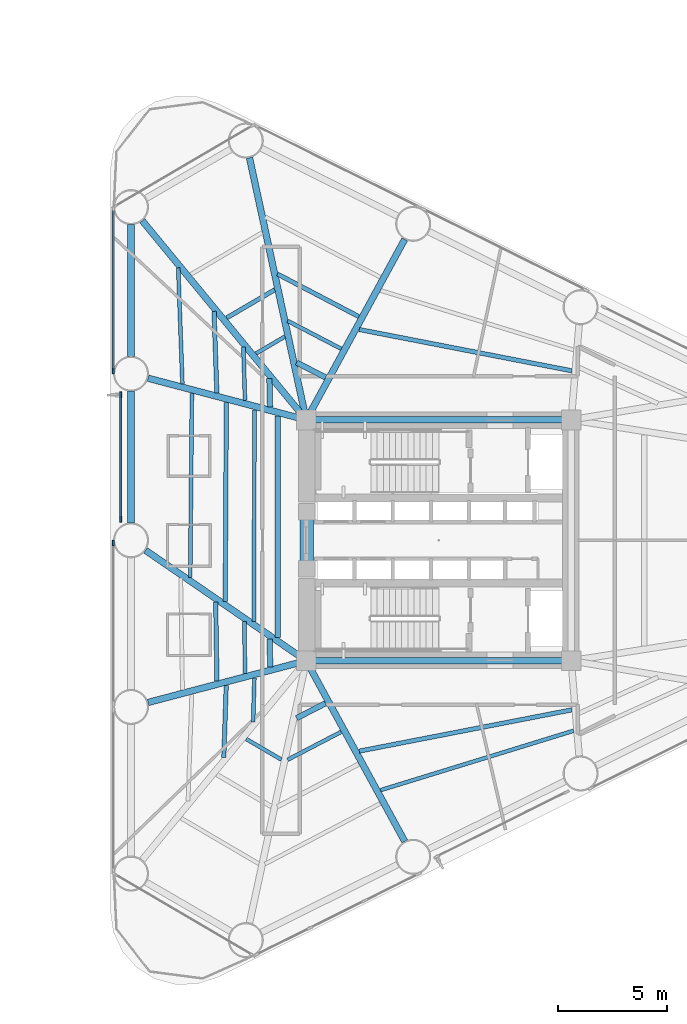
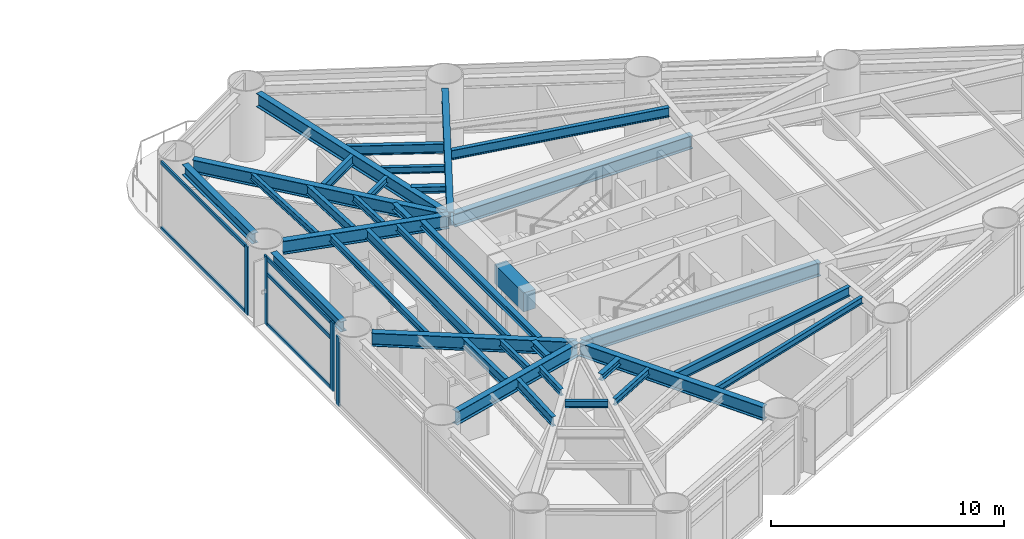
# One storey, part 2 of 10: 36 beams, 9 members, 3 elements without a shape of their own.
"""IFC4 building model written with IfcOpenShell, lengths in metres."""

from ifc_helpers import new_model, si_unit, direction, frame, origin, origin_2d, place, context, subcontext, project, spatial, rectangle, i_section, extrude, source, transform, mapped, material, layer, layer_set, material_profile, profile_set, type_object, element, aggregate, save


model = new_model("IFC4")

# Units and contexts
model_context = context("Model", 3, precision=1e-05, world=origin(), true_north=direction((0.0, 1.0)))
body_context = subcontext(model_context, "Body", "Model", "MODEL_VIEW")
ifc_project = project(units=[si_unit("LENGTHUNIT", "METRE"), si_unit("AREAUNIT", "SQUARE_METRE"), si_unit("VOLUMEUNIT", "CUBIC_METRE"), si_unit("PLANEANGLEUNIT", "RADIAN"), si_unit("MASSUNIT", "GRAM", prefix="KILO")], contexts=[model_context])

# Site, building, storey
site_placement = place(None, origin())
site = spatial("IfcSite", under=ifc_project, at=site_placement, CompositionType="ELEMENT")
building_placement = place(site_placement, origin())
building = spatial("IfcBuilding", under=site, at=building_placement, Name="Yunling Apex Tower", CompositionType="ELEMENT")
storey_placement = place(building_placement, frame((0.0, 0.0, 23.800048828125)))
storey = spatial("IfcBuildingStorey", under=building, at=storey_placement, Name="L07", CompositionType="ELEMENT", Elevation=23.800048828125)

# Beams
ifc_material_1 = material(Name="Concrete C60", Category="concrete")
ifc_material_profile_1 = material_profile(ifc_material_1, rectangle(XDim=0.60009765625, YDim=1.0, at=origin_2d()))
ifc_profile_set_1 = profile_set([ifc_material_profile_1], Name="Concrete C60")
beam_type_1 = type_object("IfcBeamType", Name="BC-CPL-1", PredefinedType="BEAM", material=ifc_profile_set_1)
shared_shape_1 = source(origin(), body_context, "Body", "SweptSolid", [
    extrude(rectangle(XDim=0.60009765625, YDim=1.0, at=origin_2d()), origin(), (0.0, 0.0, 1.0), 2.5),
])
beam_1_placement = place(storey_placement, frame((-6.02490234375, -1.25, 3.014892578125), z_axis=(0.0, 1.0, 0.0), x_axis=(-1.0, 0.0, 0.0)))
element("IfcBeam", 1, at=beam_1_placement, inside=storey, type_object=beam_type_1, Name="L07 Core West Portal Coupling Beam", PredefinedType="BEAM", context=body_context, shape_type="MappedRepresentation", body=[
    mapped(shared_shape_1, transform((0.0, 0.0, 0.0), scale=1.0)),
])
ifc_material_2 = material(Name="Steel Q355B", Category="steel")
ifc_material_profile_2 = material_profile(ifc_material_2, i_section(OverallWidth=0.300048828125, OverallDepth=0.699951171875, WebThickness=0.012939453125, FlangeThickness=0.02392578125, FilletRadius=0.02587890625, at=origin_2d()))
ifc_profile_set_2 = profile_set([ifc_material_profile_2], Name="Steel Q355B")
beam_type_2 = type_object("IfcBeamType", Name="BG-PRI-3", PredefinedType="USERDEFINED", material=ifc_profile_set_2)
shared_shape_2 = source(origin(), body_context, "Body", "SweptSolid", [
    extrude(i_section(OverallWidth=0.300048828125, OverallDepth=0.699951171875, WebThickness=0.012939453125, FlangeThickness=0.02392578125, FilletRadius=0.02587890625, at=origin_2d()), origin(), (0.0, 0.0, 1.0), 11.7998046875),
])
for number, where, z_axis, x_axis, name in (
    (2, (-5.89990234375, -5.5, 3.1650390625), (1.0, 0.0, 0.0), (0.0, 1.0, 0.0), "L07 Core Ring Tie Beam 1"),
    (3, (5.89990234375, 5.5, 3.1650390625), (-1.0, 0.0, 0.0), (0.0, -1.0, 0.0), "L07 Core Ring Tie Beam 3"),
):
    element("IfcBeam", number, at=place(storey_placement, frame(where, z_axis=z_axis, x_axis=x_axis)), inside=storey, type_object=beam_type_2, Name=name, ObjectType="GIRDER", PredefinedType="USERDEFINED", context=body_context, shape_type="MappedRepresentation", body=[
        mapped(shared_shape_2, transform((0.0, 0.0, 0.0), scale=1.0)),
    ])
ifc_material_profile_3 = material_profile(ifc_material_2, i_section(OverallWidth=0.300048828125, OverallDepth=0.5400390625, WebThickness=0.011962890625, FlangeThickness=0.02001953125, FilletRadius=0.02392578125, at=origin_2d()))
ifc_profile_set_3 = profile_set([ifc_material_profile_3], Name="Steel Q355B")
beam_type_3 = type_object("IfcBeamType", Name="BP-SPN-1", PredefinedType="SPANDREL", material=ifc_profile_set_3)
shared_shape_3 = source(origin(), body_context, "Body", "SweptSolid", [
    extrude(i_section(OverallWidth=0.300048828125, OverallDepth=0.5400390625, WebThickness=0.011962890625, FlangeThickness=0.02001953125, FilletRadius=0.02392578125, at=origin_2d()), origin(), (0.0, 0.0, 1.0), 6.021240234375),
])
beam_2_placement = place(storey_placement, frame((-14.052001953125, 14.4248046875, 3.244873046875), z_axis=(0.0, -1.0, 0.0), x_axis=(1.0, 0.0, 0.0)))
element("IfcBeam", 4, at=beam_2_placement, inside=storey, type_object=beam_type_3, Name="L07 Perimeter Spandrel Beam 11", PredefinedType="SPANDREL", context=body_context, shape_type="MappedRepresentation", body=[
    mapped(shared_shape_3, transform((0.0, 0.0, 0.0), scale=1.0)),
])
shared_shape_4 = source(origin(), body_context, "Body", "SweptSolid", [
    extrude(i_section(OverallWidth=0.300048828125, OverallDepth=0.5400390625, WebThickness=0.011962890625, FlangeThickness=0.02001953125, FilletRadius=0.02392578125, at=origin_2d()), origin(), (0.0, 0.0, 1.0), 6.021484375),
])
beam_3_placement = place(storey_placement, frame((-14.052001953125, 6.8154296875, 3.244873046875), z_axis=(0.0, -1.0, 0.0), x_axis=(1.0, 0.0, 0.0)))
element("IfcBeam", 5, at=beam_3_placement, inside=storey, type_object=beam_type_3, Name="L07 Perimeter Spandrel Beam 12", PredefinedType="SPANDREL", context=body_context, shape_type="MappedRepresentation", body=[
    mapped(shared_shape_4, transform((0.0, 0.0, 0.0), scale=1.0)),
])
shared_shape_5 = source(origin(), body_context, "Body", "SweptSolid", [
    extrude(i_section(OverallWidth=0.300048828125, OverallDepth=0.699951171875, WebThickness=0.012939453125, FlangeThickness=0.02392578125, FilletRadius=0.02587890625, at=origin_2d()), origin(), (0.0, 0.0, 1.0), 12.165283203125),
])
beam_4_placement = place(storey_placement, frame((-8.640625, 17.468017578125, 3.1650390625), z_axis=(0.2115638914, -0.977364169517, 0.0), x_axis=(0.977364169517, 0.2115638914, 0.0)))
element("IfcBeam", 6, at=beam_4_placement, inside=storey, type_object=beam_type_2, Name="L07 Radial Primary Girder R10", ObjectType="GIRDER", PredefinedType="USERDEFINED", context=body_context, shape_type="MappedRepresentation", body=[
    mapped(shared_shape_5, transform((0.0, 0.0, 0.0), scale=1.0)),
])
shared_shape_6 = source(origin(), body_context, "Body", "SweptSolid", [
    extrude(i_section(OverallWidth=0.300048828125, OverallDepth=0.699951171875, WebThickness=0.012939453125, FlangeThickness=0.02392578125, FilletRadius=0.02587890625, at=origin_2d()), origin(), (0.0, 0.0, 1.0), 9.31005859375),
])
for number, where, z_axis, x_axis, name in (
    (7, (-1.553955078125, -13.74365234375, 3.1650390625), (-0.478817221141, 0.877914613581, 0.0), (-0.877914613581, -0.478817221141, 0.0), "L07 Radial Primary Girder R02"),
    (8, (-1.553955078125, 13.74365234375, 3.1650390625), (-0.478817221141, -0.877914613581, 0.0), (0.877914613581, -0.478817221141, 0.0), "L07 Radial Primary Girder R09"),
):
    element("IfcBeam", number, at=place(storey_placement, frame(where, z_axis=z_axis, x_axis=x_axis)), inside=storey, type_object=beam_type_2, Name=name, ObjectType="GIRDER", PredefinedType="USERDEFINED", context=body_context, shape_type="MappedRepresentation", body=[
        mapped(shared_shape_6, transform((0.0, 0.0, 0.0), scale=1.0)),
    ])
shared_shape_7 = source(origin(), body_context, "Body", "SweptSolid", [
    extrude(i_section(OverallWidth=0.300048828125, OverallDepth=0.699951171875, WebThickness=0.012939453125, FlangeThickness=0.02392578125, FilletRadius=0.02587890625, at=origin_2d()), origin(), (0.0, 0.0, 1.0), 11.701171875),
])
beam_5_placement = place(storey_placement, frame((-13.538330078125, 14.59521484375, 3.1650390625), z_axis=(0.635615100524, -0.772006116547, 0.0), x_axis=(0.772006116547, 0.635615100524, 0.0)))
element("IfcBeam", 9, at=beam_5_placement, inside=storey, type_object=beam_type_2, Name="L07 Radial Primary Girder R11", ObjectType="GIRDER", PredefinedType="USERDEFINED", context=body_context, shape_type="MappedRepresentation", body=[
    mapped(shared_shape_7, transform((0.0, 0.0, 0.0), scale=1.0)),
])
shared_shape_8 = source(origin(), body_context, "Body", "SweptSolid", [
    extrude(i_section(OverallWidth=0.300048828125, OverallDepth=0.699951171875, WebThickness=0.012939453125, FlangeThickness=0.02392578125, FilletRadius=0.02587890625, at=origin_2d()), origin(), (0.0, 0.0, 1.0), 7.387451171875),
])
for number, where, z_axis, x_axis, name in (
    (10, (-13.270751953125, 7.403564453125, 3.1650390625), (0.966966571797, -0.25490321502, 0.0), (0.25490321502, 0.966966571797, 0.0), "L07 Radial Primary Girder R12"),
    (11, (-13.270751953125, -7.403564453125, 3.1650390625), (0.966966571797, 0.25490321502, 0.0), (-0.25490321502, 0.966966571797, 0.0), "L07 Radial Primary Girder R14"),
):
    element("IfcBeam", number, at=place(storey_placement, frame(where, z_axis=z_axis, x_axis=x_axis)), inside=storey, type_object=beam_type_2, Name=name, ObjectType="GIRDER", PredefinedType="USERDEFINED", context=body_context, shape_type="MappedRepresentation", body=[
        mapped(shared_shape_8, transform((0.0, 0.0, 0.0), scale=1.0)),
    ])
shared_shape_9 = source(origin(), body_context, "Body", "SweptSolid", [
    extrude(i_section(OverallWidth=0.300048828125, OverallDepth=0.699951171875, WebThickness=0.012939453125, FlangeThickness=0.02392578125, FilletRadius=0.02587890625, at=origin_2d()), origin(), (0.0, 0.0, 1.0), 8.821533203125),
])
beam_6_placement = place(storey_placement, frame((-13.385986328125, -0.457763671875, 3.1650390625), z_axis=(0.824111362877, -0.566427807912, 0.0), x_axis=(0.566427807912, 0.824111362877, 0.0)))
element("IfcBeam", 12, at=beam_6_placement, inside=storey, type_object=beam_type_2, Name="L07 Radial Primary Girder R13", ObjectType="GIRDER", PredefinedType="USERDEFINED", context=body_context, shape_type="MappedRepresentation", body=[
    mapped(shared_shape_9, transform((0.0, 0.0, 0.0), scale=1.0)),
])
ifc_material_profile_4 = material_profile(ifc_material_2, i_section(OverallWidth=0.199951171875, OverallDepth=0.5, WebThickness=0.010009765625, FlangeThickness=0.01611328125, FilletRadius=0.02001953125, at=origin_2d()))
ifc_profile_set_4 = profile_set([ifc_material_profile_4], Name="Steel Q355B")
beam_type_4 = type_object("IfcBeamType", Name="BS-SEC-2", PredefinedType="BEAM", material=ifc_profile_set_4)
shared_shape_10 = source(origin(), body_context, "Body", "SweptSolid", [
    extrude(i_section(OverallWidth=0.199951171875, OverallDepth=0.5, WebThickness=0.010009765625, FlangeThickness=0.01611328125, FilletRadius=0.02001953125, at=origin_2d()), origin(), (0.0, 0.0, 1.0), 4.186279296875),
])
beam_7_placement = place(storey_placement, frame((-3.6572265625, 10.221435546875, 3.264892578125), z_axis=(-0.886028927656, 0.463629959512, 0.0), x_axis=(-0.463629959512, -0.886028927656, 0.0)))
element("IfcBeam", 13, at=beam_7_placement, inside=storey, type_object=beam_type_4, Name="L07 Composite Floor Beam BS-9", PredefinedType="BEAM", context=body_context, shape_type="MappedRepresentation", body=[
    mapped(shared_shape_10, transform((0.0, 0.0, 0.0), scale=1.0)),
])
ifc_material_profile_5 = material_profile(ifc_material_2, i_section(OverallWidth=0.175048828125, OverallDepth=0.35009765625, WebThickness=0.007080078125, FlangeThickness=0.010986328125, FilletRadius=0.013916015625, at=origin_2d()))
ifc_profile_set_5 = profile_set([ifc_material_profile_5], Name="Steel Q355B")
beam_type_5 = type_object("IfcBeamType", Name="BJ-JST-1", PredefinedType="JOIST", material=ifc_profile_set_5)
shared_shape_11 = source(origin(), body_context, "Body", "SweptSolid", [
    extrude(i_section(OverallWidth=0.175048828125, OverallDepth=0.35009765625, WebThickness=0.007080078125, FlangeThickness=0.010986328125, FilletRadius=0.013916015625, at=origin_2d()), origin(), (0.0, 0.0, 1.0), 2.7548828125),
])
for number, where, z_axis, x_axis, name in (
    (14, (-6.903076171875, -10.0224609375, 3.33984375), (0.886932237595, 0.461899562584, 0.0), (-0.461899562584, 0.886932237595, 0.0), "L07 Composite Floor Joist BJ3-1"),
    (15, (-4.459716796875, 8.75, 3.33984375), (-0.886932237595, 0.461899562584, 0.0), (-0.461899562584, -0.886932237595, 0.0), "L07 Composite Floor Joist BJ3-9"),
):
    element("IfcBeam", number, at=place(storey_placement, frame(where, z_axis=z_axis, x_axis=x_axis)), inside=storey, type_object=beam_type_5, Name=name, PredefinedType="JOIST", context=body_context, shape_type="MappedRepresentation", body=[
        mapped(shared_shape_11, transform((0.0, 0.0, 0.0), scale=1.0)),
    ])
ifc_material_profile_6 = material_profile(ifc_material_2, i_section(OverallWidth=0.25, OverallDepth=0.340087890625, WebThickness=0.009033203125, FlangeThickness=0.013916015625, FilletRadius=0.01806640625, at=origin_2d()))
ifc_profile_set_6 = profile_set([ifc_material_profile_6], Name="Steel Q355B")
beam_type_6 = type_object("IfcBeamType", Name="BJ-JST-2", PredefinedType="JOIST", material=ifc_profile_set_6)
shared_shape_12 = source(origin(), body_context, "Body", "SweptSolid", [
    extrude(i_section(OverallWidth=0.25, OverallDepth=0.340087890625, WebThickness=0.009033203125, FlangeThickness=0.013916015625, FilletRadius=0.01806640625, at=origin_2d()), origin(), (0.0, 0.0, 1.0), 1.482421875),
])
for number, where, z_axis, x_axis, name in (
    (16, (-6.490966796875, -8.12060546875, 3.344970703125), (0.888960334438, 0.457984196012, 0.0), (-0.457984196012, 0.888960334438, 0.0), "L07 Composite Floor Joist BJ2-1"),
    (17, (-5.173095703125, 7.441650390625, 3.344970703125), (-0.888960334438, 0.457984196012, 0.0), (-0.457984196012, -0.888960334438, 0.0), "L07 Composite Floor Joist BJ2-9"),
):
    element("IfcBeam", number, at=place(storey_placement, frame(where, z_axis=z_axis, x_axis=x_axis)), inside=storey, type_object=beam_type_6, Name=name, PredefinedType="JOIST", context=body_context, shape_type="MappedRepresentation", body=[
        mapped(shared_shape_12, transform((0.0, 0.0, 0.0), scale=1.0)),
    ])
shared_shape_13 = source(origin(), body_context, "Body", "SweptSolid", [
    extrude(i_section(OverallWidth=0.199951171875, OverallDepth=0.5, WebThickness=0.010009765625, FlangeThickness=0.01611328125, FilletRadius=0.02001953125, at=origin_2d()), origin(), (0.0, 0.0, 1.0), 9.883544921875),
])
for number, where, z_axis, x_axis, name in (
    (18, (-3.625732421875, -9.62646484375, 3.264892578125), (0.981653423938, 0.190673950161, 0.0), (-0.190673950161, 0.981653423938, 0.0), "L07 Composite Floor Beam BS-2"),
    (19, (6.076416015625, 7.741943359375, 3.264892578125), (-0.981653423938, 0.190673950161, 0.0), (-0.190673950161, -0.981653423938, 0.0), "L07 Composite Floor Beam BS-8"),
):
    element("IfcBeam", number, at=place(storey_placement, frame(where, z_axis=z_axis, x_axis=x_axis)), inside=storey, type_object=beam_type_4, Name=name, PredefinedType="BEAM", context=body_context, shape_type="MappedRepresentation", body=[
        mapped(shared_shape_13, transform((0.0, 0.0, 0.0), scale=1.0)),
    ])
shared_shape_14 = source(origin(), body_context, "Body", "SweptSolid", [
    extrude(i_section(OverallWidth=0.175048828125, OverallDepth=0.35009765625, WebThickness=0.007080078125, FlangeThickness=0.010986328125, FilletRadius=0.013916015625, at=origin_2d()), origin(), (0.0, 0.0, 1.0), 9.2158203125),
])
beam_8_placement = place(storey_placement, frame((-2.649169921875, -11.407958984375, 3.33984375), z_axis=(0.955731454849, 0.294240354492, 0.0), x_axis=(-0.294240354492, 0.955731454849, 0.0)))
element("IfcBeam", 20, at=beam_8_placement, inside=storey, type_object=beam_type_5, Name="L07 Composite Floor Joist BJ1-2", PredefinedType="JOIST", context=body_context, shape_type="MappedRepresentation", body=[
    mapped(shared_shape_14, transform((0.0, 0.0, 0.0), scale=1.0)),
])
shared_shape_15 = source(origin(), body_context, "Body", "SweptSolid", [
    extrude(i_section(OverallWidth=0.199951171875, OverallDepth=0.5, WebThickness=0.010009765625, FlangeThickness=0.01611328125, FilletRadius=0.02001953125, at=origin_2d()), origin(), (0.0, 0.0, 1.0), 2.5380859375),
])
beam_9_placement = place(storey_placement, frame((-7.49169921875, 11.4423828125, 3.264892578125), z_axis=(-0.862768873171, -0.505598527972, 0.0), x_axis=(0.505598527972, -0.862768873171, 0.0)))
element("IfcBeam", 21, at=beam_9_placement, inside=storey, type_object=beam_type_4, Name="L07 Composite Floor Beam BS-10", PredefinedType="BEAM", context=body_context, shape_type="MappedRepresentation", body=[
    mapped(shared_shape_15, transform((0.0, 0.0, 0.0), scale=1.0)),
])
shared_shape_16 = source(origin(), body_context, "Body", "SweptSolid", [
    extrude(i_section(OverallWidth=0.175048828125, OverallDepth=0.35009765625, WebThickness=0.007080078125, FlangeThickness=0.010986328125, FilletRadius=0.013916015625, at=origin_2d()), origin(), (0.0, 0.0, 1.0), 1.522705078125),
])
beam_10_placement = place(storey_placement, frame((-7.028564453125, 9.30224609375, 3.33984375), z_axis=(-0.863086068208, -0.505056866962, 0.0), x_axis=(0.505056866962, -0.863086068208, 0.0)))
element("IfcBeam", 22, at=beam_10_placement, inside=storey, type_object=beam_type_5, Name="L07 Composite Floor Joist BJ3-10", PredefinedType="JOIST", context=body_context, shape_type="MappedRepresentation", body=[
    mapped(shared_shape_16, transform((0.0, 0.0, 0.0), scale=1.0)),
])
shared_shape_17 = source(origin(), body_context, "Body", "SweptSolid", [
    extrude(i_section(OverallWidth=0.199951171875, OverallDepth=0.5, WebThickness=0.010009765625, FlangeThickness=0.01611328125, FilletRadius=0.02001953125, at=origin_2d()), origin(), (0.0, 0.0, 1.0), 3.727783203125),
])
beam_11_placement = place(storey_placement, frame((-10.260498046875, 10.46044921875, 3.264892578125), z_axis=(0.034187081609, -0.999415450877, 0.0), x_axis=(0.999415450877, 0.034187081609, 0.0)))
element("IfcBeam", 23, at=beam_11_placement, inside=storey, type_object=beam_type_4, Name="L07 Composite Floor Beam BS-11", PredefinedType="BEAM", context=body_context, shape_type="MappedRepresentation", body=[
    mapped(shared_shape_17, transform((0.0, 0.0, 0.0), scale=1.0)),
])
shared_shape_18 = source(origin(), body_context, "Body", "SweptSolid", [
    extrude(i_section(OverallWidth=0.175048828125, OverallDepth=0.35009765625, WebThickness=0.007080078125, FlangeThickness=0.010986328125, FilletRadius=0.013916015625, at=origin_2d()), origin(), (0.0, 0.0, 1.0), 5.30224609375),
])
beam_12_placement = place(storey_placement, frame((-11.896484375, 12.447998046875, 3.33984375), z_axis=(0.036144814399, -0.999346562706, 0.0), x_axis=(0.999346562706, 0.036144814399, 0.0)))
element("IfcBeam", 24, at=beam_12_placement, inside=storey, type_object=beam_type_5, Name="L07 Composite Floor Joist BJ1-11", PredefinedType="JOIST", context=body_context, shape_type="MappedRepresentation", body=[
    mapped(shared_shape_18, transform((0.0, 0.0, 0.0), scale=1.0)),
])
shared_shape_19 = source(origin(), body_context, "Body", "SweptSolid", [
    extrude(i_section(OverallWidth=0.175048828125, OverallDepth=0.35009765625, WebThickness=0.007080078125, FlangeThickness=0.010986328125, FilletRadius=0.013916015625, at=origin_2d()), origin(), (0.0, 0.0, 1.0), 2.439697265625),
])
beam_13_placement = place(storey_placement, frame((-8.922119140625, 8.83447265625, 3.33984375), z_axis=(0.03092233012, -0.999521790408, 0.0), x_axis=(0.999521790408, 0.03092233012, 0.0)))
element("IfcBeam", 25, at=beam_13_placement, inside=storey, type_object=beam_type_5, Name="L07 Composite Floor Joist BJ3-11", PredefinedType="JOIST", context=body_context, shape_type="MappedRepresentation", body=[
    mapped(shared_shape_19, transform((0.0, 0.0, 0.0), scale=1.0)),
])
shared_shape_20 = source(origin(), body_context, "Body", "SweptSolid", [
    extrude(i_section(OverallWidth=0.25, OverallDepth=0.340087890625, WebThickness=0.009033203125, FlangeThickness=0.013916015625, FilletRadius=0.01806640625, at=origin_2d()), origin(), (0.0, 0.0, 1.0), 1.294921875),
])
beam_14_placement = place(storey_placement, frame((-7.7333984375, 7.38916015625, 3.344970703125), z_axis=(0.023753431789, -0.999717847434, 0.0), x_axis=(0.999717847434, 0.023753431789, 0.0)))
element("IfcBeam", 26, at=beam_14_placement, inside=storey, type_object=beam_type_6, Name="L07 Composite Floor Joist BJ2-11", PredefinedType="JOIST", context=body_context, shape_type="MappedRepresentation", body=[
    mapped(shared_shape_20, transform((0.0, 0.0, 0.0), scale=1.0)),
])
shared_shape_21 = source(origin(), body_context, "Body", "SweptSolid", [
    extrude(i_section(OverallWidth=0.199951171875, OverallDepth=0.5, WebThickness=0.010009765625, FlangeThickness=0.01611328125, FilletRadius=0.02001953125, at=origin_2d()), origin(), (0.0, 0.0, 1.0), 9.098388671875),
])
beam_15_placement = place(storey_placement, frame((-9.699951171875, 6.302001953125, 3.264892578125), z_axis=(-0.005500909631, -0.999984869882, 0.0), x_axis=(0.999984869882, -0.005500909631, 0.0)))
element("IfcBeam", 27, at=beam_15_placement, inside=storey, type_object=beam_type_4, Name="L07 Composite Floor Beam BS-12", PredefinedType="BEAM", context=body_context, shape_type="MappedRepresentation", body=[
    mapped(shared_shape_21, transform((0.0, 0.0, 0.0), scale=1.0)),
])
shared_shape_22 = source(origin(), body_context, "Body", "SweptSolid", [
    extrude(i_section(OverallWidth=0.175048828125, OverallDepth=0.35009765625, WebThickness=0.007080078125, FlangeThickness=0.010986328125, FilletRadius=0.013916015625, at=origin_2d()), origin(), (0.0, 0.0, 1.0), 8.41357421875),
])
beam_16_placement = place(storey_placement, frame((-11.27197265625, 6.71630859375, 3.33984375), z_axis=(-0.009169400639, -0.999957960162, 0.0), x_axis=(0.999957960162, -0.009169400639, 0.0)))
element("IfcBeam", 28, at=beam_16_placement, inside=storey, type_object=beam_type_5, Name="L07 Composite Floor Joist BJ1-12", PredefinedType="JOIST", context=body_context, shape_type="MappedRepresentation", body=[
    mapped(shared_shape_22, transform((0.0, 0.0, 0.0), scale=1.0)),
])
shared_shape_23 = source(origin(), body_context, "Body", "SweptSolid", [
    extrude(i_section(OverallWidth=0.175048828125, OverallDepth=0.35009765625, WebThickness=0.007080078125, FlangeThickness=0.010986328125, FilletRadius=0.013916015625, at=origin_2d()), origin(), (0.0, 0.0, 1.0), 9.65869140625),
])
beam_17_placement = place(storey_placement, frame((-8.413818359375, 5.962890625, 3.33984375), z_axis=(-0.002906817505, -0.999995775197, 0.0), x_axis=(0.999995775197, -0.002906817505, 0.0)))
element("IfcBeam", 29, at=beam_17_placement, inside=storey, type_object=beam_type_5, Name="L07 Composite Floor Joist BJ3-12", PredefinedType="JOIST", context=body_context, shape_type="MappedRepresentation", body=[
    mapped(shared_shape_23, transform((0.0, 0.0, 0.0), scale=1.0)),
])
shared_shape_24 = source(origin(), body_context, "Body", "SweptSolid", [
    extrude(i_section(OverallWidth=0.25, OverallDepth=0.340087890625, WebThickness=0.009033203125, FlangeThickness=0.013916015625, FilletRadius=0.01806640625, at=origin_2d()), origin(), (0.0, 0.0, 1.0), 10.125732421875),
])
beam_18_placement = place(storey_placement, frame((-7.341796875, 5.680419921875, 3.344970703125), z_axis=(-0.000988546835, -0.999999511387, 0.0), x_axis=(0.999999511387, -0.000988546835, 0.0)))
element("IfcBeam", 30, at=beam_18_placement, inside=storey, type_object=beam_type_6, Name="L07 Composite Floor Joist BJ2-12", PredefinedType="JOIST", context=body_context, shape_type="MappedRepresentation", body=[
    mapped(shared_shape_24, transform((0.0, 0.0, 0.0), scale=1.0)),
])
shared_shape_25 = source(origin(), body_context, "Body", "SweptSolid", [
    extrude(i_section(OverallWidth=0.199951171875, OverallDepth=0.5, WebThickness=0.010009765625, FlangeThickness=0.01611328125, FilletRadius=0.02001953125, at=origin_2d()), origin(), (0.0, 0.0, 1.0), 3.59912109375),
])
beam_19_placement = place(storey_placement, frame((-10.184814453125, -2.81640625, 3.264892578125), z_axis=(0.015194989083, -0.999884549489, 0.0), x_axis=(0.999884549489, 0.015194989083, 0.0)))
element("IfcBeam", 31, at=beam_19_placement, inside=storey, type_object=beam_type_4, Name="L07 Composite Floor Beam BS-13", PredefinedType="BEAM", context=body_context, shape_type="MappedRepresentation", body=[
    mapped(shared_shape_25, transform((0.0, 0.0, 0.0), scale=1.0)),
])
shared_shape_26 = source(origin(), body_context, "Body", "SweptSolid", [
    extrude(i_section(OverallWidth=0.175048828125, OverallDepth=0.35009765625, WebThickness=0.007080078125, FlangeThickness=0.010986328125, FilletRadius=0.013916015625, at=origin_2d()), origin(), (0.0, 0.0, 1.0), 2.3603515625),
])
beam_20_placement = place(storey_placement, frame((-8.87646484375, -3.7158203125, 3.33984375), z_axis=(0.013756844339, -0.99990537014, 0.0), x_axis=(0.99990537014, 0.013756844339, 0.0)))
element("IfcBeam", 32, at=beam_20_placement, inside=storey, type_object=beam_type_5, Name="L07 Composite Floor Joist BJ3-13", PredefinedType="JOIST", context=body_context, shape_type="MappedRepresentation", body=[
    mapped(shared_shape_26, transform((0.0, 0.0, 0.0), scale=1.0)),
])
shared_shape_27 = source(origin(), body_context, "Body", "SweptSolid", [
    extrude(i_section(OverallWidth=0.25, OverallDepth=0.340087890625, WebThickness=0.009033203125, FlangeThickness=0.013916015625, FilletRadius=0.01806640625, at=origin_2d()), origin(), (0.0, 0.0, 1.0), 1.25927734375),
])
beam_21_placement = place(storey_placement, frame((-7.713623046875, -4.515380859375, 3.344970703125), z_axis=(0.010274758105, -0.99994721328, 0.0), x_axis=(0.99994721328, 0.010274758105, 0.0)))
element("IfcBeam", 33, at=beam_21_placement, inside=storey, type_object=beam_type_6, Name="L07 Composite Floor Joist BJ2-13", PredefinedType="JOIST", context=body_context, shape_type="MappedRepresentation", body=[
    mapped(shared_shape_27, transform((0.0, 0.0, 0.0), scale=1.0)),
])
shared_shape_28 = source(origin(), body_context, "Body", "SweptSolid", [
    extrude(i_section(OverallWidth=0.199951171875, OverallDepth=0.5, WebThickness=0.010009765625, FlangeThickness=0.01611328125, FilletRadius=0.02001953125, at=origin_2d()), origin(), (0.0, 0.0, 1.0), 3.29833984375),
])
beam_22_placement = place(storey_placement, frame((-9.704345703125, -6.621826171875, 3.264892578125), z_axis=(-0.033307436794, -0.9994451534, 0.0), x_axis=(0.9994451534, -0.033307436794, 0.0)))
element("IfcBeam", 34, at=beam_22_placement, inside=storey, type_object=beam_type_4, Name="L07 Composite Floor Beam BS-14", PredefinedType="BEAM", context=body_context, shape_type="MappedRepresentation", body=[
    mapped(shared_shape_28, transform((0.0, 0.0, 0.0), scale=1.0)),
])
shared_shape_29 = source(origin(), body_context, "Body", "SweptSolid", [
    extrude(i_section(OverallWidth=0.175048828125, OverallDepth=0.35009765625, WebThickness=0.007080078125, FlangeThickness=0.010986328125, FilletRadius=0.013916015625, at=origin_2d()), origin(), (0.0, 0.0, 1.0), 2.01025390625),
])
beam_23_placement = place(storey_placement, frame((-8.41796875, -6.282958984375, 3.33984375), z_axis=(-0.029024336113, -0.999578705212, 0.0), x_axis=(0.999578705212, -0.029024336113, 0.0)))
element("IfcBeam", 35, at=beam_23_placement, inside=storey, type_object=beam_type_5, Name="L07 Composite Floor Joist BJ3-14", PredefinedType="JOIST", context=body_context, shape_type="MappedRepresentation", body=[
    mapped(shared_shape_29, transform((0.0, 0.0, 0.0), scale=1.0)),
])
shared_shape_30 = source(origin(), body_context, "Body", "SweptSolid", [
    extrude(i_section(OverallWidth=0.175048828125, OverallDepth=0.35009765625, WebThickness=0.007080078125, FlangeThickness=0.010986328125, FilletRadius=0.013916015625, at=origin_2d()), origin(), (0.0, 0.0, 1.0), 1.86083984375),
])
beam_24_placement = place(storey_placement, frame((-8.7890625, -9.0751953125, 3.33984375), z_axis=(0.862987962162, -0.505224481953, 0.0), x_axis=(0.505224481953, 0.862987962162, 0.0)))
element("IfcBeam", 36, at=beam_24_placement, inside=storey, type_object=beam_type_5, Name="L07 Composite Floor Joist BJ3-15", PredefinedType="JOIST", context=body_context, shape_type="MappedRepresentation", body=[
    mapped(shared_shape_30, transform((0.0, 0.0, 0.0), scale=1.0)),
])

# Curtain wall, member
ifc_material_3 = material(Name="Bronze anodised aluminium", Category="aluminium")
ifc_layer = layer(ifc_material_3, 0.260009765625)
ifc_layer_set = layer_set([ifc_layer], Name="Bronze anodised aluminium")
curtain_wall_type = type_object("IfcCurtainWallType", Name="CW-SYS-2", PredefinedType="NOTDEFINED", material=ifc_layer_set)
curtain_wall_1_placement = place(storey_placement, origin())
curtain_wall_1 = element("IfcCurtainWall", 37, at=curtain_wall_1_placement, inside=storey, type_object=curtain_wall_type, Name="CW-L07-F3-B1", PredefinedType="NOTDEFINED")
ifc_material_profile_7 = material_profile(ifc_material_3, rectangle(XDim=0.0849609375, YDim=0.260009765625, at=origin_2d()))
ifc_profile_set_7 = profile_set([ifc_material_profile_7], Name="Bronze anodised aluminium")
member_type_1 = type_object("IfcMemberType", Name="CW-MUL-2", PredefinedType="MULLION", material=ifc_profile_set_7)
shared_shape_31 = source(origin(), body_context, "Body", "SweptSolid", [
    extrude(rectangle(XDim=0.0849609375, YDim=0.260009765625, at=origin_2d()), origin(), (0.0, 0.0, 1.0), 3.614990234375),
])
member_1_placement = place(storey_placement, frame((-14.862060546875, 7.73193359375, -0.050048828125), z_axis=(0.0, 0.0, 1.0), x_axis=(1.0, 0.0, 0.0)))
member_1 = element("IfcMember", 38, at=member_1_placement, type_object=member_type_1, Name="CW-SYS-2 mullion 2", PredefinedType="MULLION", context=body_context, shape_type="MappedRepresentation", body=[
    mapped(shared_shape_31, transform((0.0, 0.0, 0.0), scale=1.0)),
])

# Curtain wall, members
curtain_wall_2_placement = place(storey_placement, origin())
curtain_wall_2 = element("IfcCurtainWall", 39, at=curtain_wall_2_placement, inside=storey, type_object=curtain_wall_type, Name="CW-L07-F3-B2", PredefinedType="NOTDEFINED")
member_2_placement = place(storey_placement, frame((-14.52197265625, 6.64697265625, -0.050048828125), z_axis=(0.0, 0.0, 1.0), x_axis=(1.0, 0.0, 0.0)))
member_2 = element("IfcMember", 40, at=member_2_placement, type_object=member_type_1, Name="CW-SYS-2 mullion 1", PredefinedType="MULLION", context=body_context, shape_type="MappedRepresentation", body=[
    mapped(shared_shape_31, transform((0.0, 0.0, 0.0), scale=1.0)),
])
member_3_placement = place(storey_placement, frame((-14.52197265625, 0.96240234375, -0.050048828125), z_axis=(0.0, 0.0, 1.0), x_axis=(1.0, 0.0, 0.0)))
member_3 = element("IfcMember", 41, at=member_3_placement, type_object=member_type_1, Name="CW-SYS-2 mullion 2", PredefinedType="MULLION", context=body_context, shape_type="MappedRepresentation", body=[
    mapped(shared_shape_31, transform((0.0, 0.0, 0.0), scale=1.0)),
])

# Curtain wall, member
curtain_wall_3_placement = place(storey_placement, origin())
curtain_wall_3 = element("IfcCurtainWall", 42, at=curtain_wall_3_placement, inside=storey, type_object=curtain_wall_type, Name="CW-L07-F3-B3", PredefinedType="NOTDEFINED")
member_4_placement = place(storey_placement, frame((-14.862060546875, -0.12255859375, -0.050048828125), z_axis=(0.0, 0.0, 1.0), x_axis=(1.0, 0.0, 0.0)))
member_4 = element("IfcMember", 43, at=member_4_placement, type_object=member_type_1, Name="CW-SYS-2 mullion 1", PredefinedType="MULLION", context=body_context, shape_type="MappedRepresentation", body=[
    mapped(shared_shape_31, transform((0.0, 0.0, 0.0), scale=1.0)),
])
aggregate(curtain_wall_3, [member_4])

# Member
ifc_material_profile_8 = material_profile(ifc_material_3, rectangle(XDim=0.0849609375, YDim=0.199951171875, at=origin_2d()))
ifc_profile_set_8 = profile_set([ifc_material_profile_8], Name="Bronze anodised aluminium")
member_type_2 = type_object("IfcMemberType", Name="CW-TRN-2", PredefinedType="USERDEFINED", material=ifc_profile_set_8)
shared_shape_32 = source(origin(), body_context, "Body", "SweptSolid", [
    extrude(rectangle(XDim=0.0849609375, YDim=0.199951171875, at=origin_2d()), origin(), (0.0, 0.0, 1.0), 7.287841796875),
])
member_5_placement = place(storey_placement, frame((-14.862060546875, 15.05810546875, 0.04248046875), z_axis=(0.0, -1.0, 0.0), x_axis=(1.0, 0.0, 0.0)))
member_5 = element("IfcMember", 44, at=member_5_placement, type_object=member_type_2, Name="CW-SYS-2 transom 1.1", ObjectType="TRANSOM", PredefinedType="USERDEFINED", context=body_context, shape_type="MappedRepresentation", body=[
    mapped(shared_shape_32, transform((0.0, 0.0, 0.0), scale=1.0)),
])

member_6_placement = place(storey_placement, frame((-14.862060546875, 15.05810546875, 3.472412109375), z_axis=(0.0, -1.0, 0.0), x_axis=(1.0, 0.0, 0.0)))
member_6 = element("IfcMember", 45, at=member_6_placement, type_object=member_type_2, Name="CW-SYS-2 transom 1.2", ObjectType="TRANSOM", PredefinedType="USERDEFINED", context=body_context, shape_type="MappedRepresentation", body=[
    mapped(shared_shape_32, transform((0.0, 0.0, 0.0), scale=1.0)),
])

aggregate(curtain_wall_1, [member_1, member_5, member_6])

shared_shape_33 = source(origin(), body_context, "Body", "SweptSolid", [
    extrude(rectangle(XDim=0.0849609375, YDim=0.199951171875, at=origin_2d()), origin(), (0.0, 0.0, 1.0), 5.60791015625),
])
member_7_placement = place(storey_placement, frame((-14.52197265625, 6.608642578125, 0.04248046875), z_axis=(0.0, -1.0, 0.0), x_axis=(1.0, 0.0, 0.0)))
member_7 = element("IfcMember", 46, at=member_7_placement, type_object=member_type_2, Name="CW-SYS-2 transom 1.1", ObjectType="TRANSOM", PredefinedType="USERDEFINED", context=body_context, shape_type="MappedRepresentation", body=[
    mapped(shared_shape_33, transform((0.0, 0.0, 0.0), scale=1.0)),
])

member_8_placement = place(storey_placement, frame((-14.52197265625, 6.608642578125, 2.67138671875), z_axis=(0.0, -1.0, 0.0), x_axis=(1.0, 0.0, 0.0)))
member_8 = element("IfcMember", 47, at=member_8_placement, type_object=member_type_2, Name="CW-SYS-2 transom 1.2", ObjectType="TRANSOM", PredefinedType="USERDEFINED", context=body_context, shape_type="MappedRepresentation", body=[
    mapped(shared_shape_33, transform((0.0, 0.0, 0.0), scale=1.0)),
])

member_9_placement = place(storey_placement, frame((-14.52197265625, 6.608642578125, 3.472412109375), z_axis=(0.0, -1.0, 0.0), x_axis=(1.0, 0.0, 0.0)))
member_9 = element("IfcMember", 48, at=member_9_placement, type_object=member_type_2, Name="CW-SYS-2 transom 1.3", ObjectType="TRANSOM", PredefinedType="USERDEFINED", context=body_context, shape_type="MappedRepresentation", body=[
    mapped(shared_shape_33, transform((0.0, 0.0, 0.0), scale=1.0)),
])

aggregate(curtain_wall_2, [member_2, member_3, member_7, member_8, member_9])

save(model, "model.ifc")
